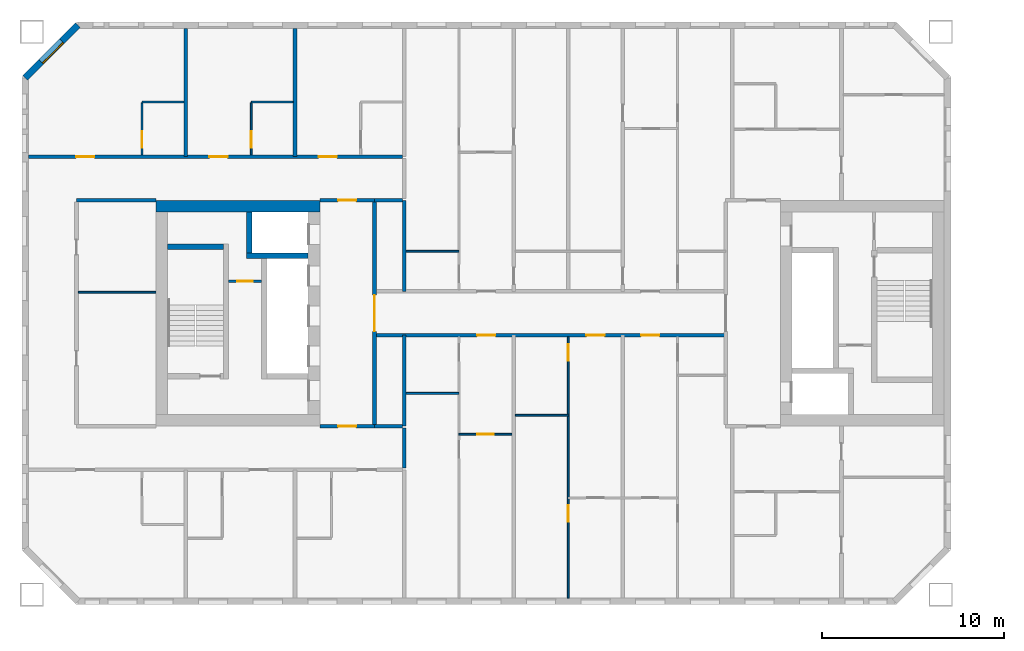
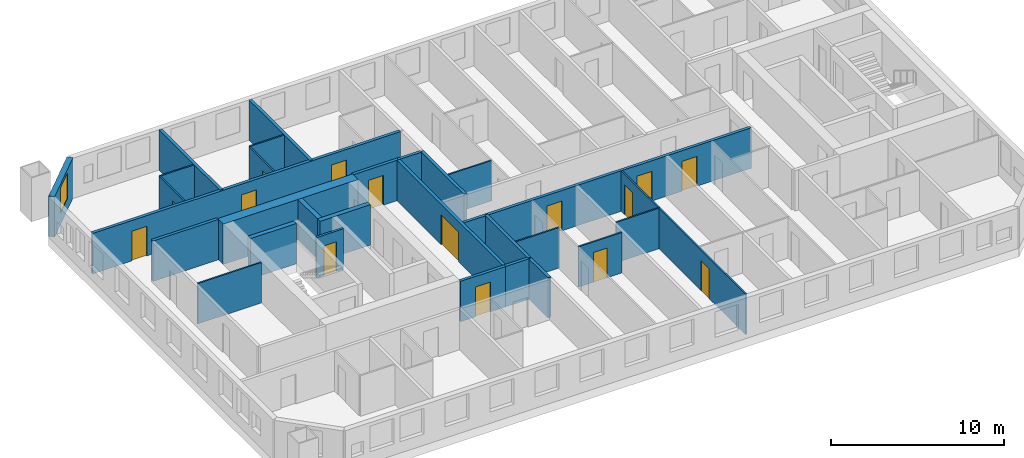
# One storey, part 4 of 16: 29 walls, 15 doors, 1 window, 16 openings.
"""IFC4 building model written with IfcOpenShell, lengths in metres."""

from ifc_helpers import new_model, si_unit, direction, frame, frame_2d, origin, place, context, subcontext, project, spatial, rectangle, extrude, material, layer, layer_set, type_object, element, fill, save


model = new_model("IFC4")

# Units and contexts
model_context = context("Model", 3, precision=1e-05, world=origin(), true_north=direction((0.0, 1.0)))
body_context = subcontext(model_context, "Body", "Model", "MODEL_VIEW")
ifc_project = project(units=[si_unit("LENGTHUNIT", "METRE"), si_unit("AREAUNIT", "SQUARE_METRE"), si_unit("VOLUMEUNIT", "CUBIC_METRE"), si_unit("PLANEANGLEUNIT", "RADIAN"), si_unit("MASSUNIT", "GRAM", prefix="KILO")], contexts=[model_context])

# Site, building, storey
site_placement = place(None, origin())
site = spatial("IfcSite", under=ifc_project, at=site_placement, CompositionType="ELEMENT")
building_placement = place(site_placement, origin())
building = spatial("IfcBuilding", under=site, at=building_placement, Name="Tuart Gate Housing", CompositionType="ELEMENT")
storey_placement = place(building_placement, frame((0.0, 0.0, 96.39990234375)))
storey = spatial("IfcBuildingStorey", under=building, at=storey_placement, Name="L26", CompositionType="ELEMENT", Elevation=96.39990234375)

# Wall, opening, window
ifc_material_1 = material(Name="Brick", Category="masonry")
ifc_layer_1 = layer(ifc_material_1, 0.360107421875)
ifc_layer_set_1 = layer_set([ifc_layer_1], Name="Brick pier and spandrel wall 360")
wall_type_1 = type_object("IfcWallType", Name="Brick pier and spandrel wall 360", PredefinedType="STANDARD", material=ifc_layer_set_1)
wall_1_placement = place(storey_placement, frame((28.07470703125, 85.820068359375, 0.0), z_axis=(0.0, 0.0, 1.0), x_axis=(-0.707106781187, -0.707106781187, 0.0)))
wall_1 = element("IfcWall", 1, at=wall_1_placement, inside=storey, type_object=wall_type_1, Name="External wall A-NW L26", PredefinedType="STANDARD", context=body_context, shape_type="SweptSolid", body=[
    extrude(rectangle(XDim=4.09375, YDim=0.360107421875, at=frame_2d((2.046875, 0.0))), origin(), (0.0, 0.0, 1.0), 2.85009765625),
])
opening_1_placement = place(wall_1_placement, frame((1.2470703125, 0.0, 0.800048828125)))
opening_1 = element("IfcOpeningElement", 2, at=opening_1_placement, cuts=wall_1, Name="Opening W1", PredefinedType="OPENING", context=body_context, shape_type="SweptSolid", body=[
    extrude(rectangle(XDim=1.60009765625, YDim=1.800048828125, at=frame_2d((0.800048828125, 0.89990234375))), frame((0.0, 0.18994140625, 0.0), z_axis=(0.0, -1.0, 0.0), x_axis=(1.0, 0.0, 0.0)), (0.0, 0.0, 1.0), 0.380126953125),
])
ifc_material_2 = material(Name="Aluminium frame with clear glass", Category="aluminium")
window_type = type_object("IfcWindowType", Name="Punched window 1600 x 1800", PartitioningType="SINGLE_PANEL", PredefinedType="WINDOW", material=ifc_material_2)
window_placement = place(opening_1_placement, origin())
window = element("IfcWindow", 3, at=window_placement, inside=storey, type_object=window_type, Name="Window W1", OverallHeight=1.800048828125, OverallWidth=1.60009765625, PartitioningType="SINGLE_PANEL", PredefinedType="WINDOW", context=body_context, shape_type="SweptSolid", body=[
    extrude(rectangle(XDim=1.60009765625, YDim=1.800048828125, at=frame_2d((0.800048828125, 0.89990234375))), frame((0.0, 0.150146484375, 0.0), z_axis=(0.0, -1.0, 0.0), x_axis=(1.0, 0.0, 0.0)), (0.0, 0.0, 1.0), 0.06005859375),
])
fill(opening_1, window)

# Wall, opening, door
ifc_material_3 = material(Name="Plasterboard partition")
ifc_layer_2 = layer(ifc_material_3, 0.14990234375)
ifc_layer_set_2 = layer_set([ifc_layer_2], Name="Core partition 150")
wall_type_2 = type_object("IfcWallType", Name="Core partition 150", PredefinedType="PARTITIONING", material=ifc_layer_set_2)
wall_2_placement = place(storey_placement, frame((38.159912109375, 71.75, 0.0), z_axis=(0.0, 0.0, 1.0), x_axis=(-1.0, 0.0, 0.0)))
wall_2 = element("IfcWall", 4, at=wall_2_placement, inside=storey, type_object=wall_type_2, Name="Core partition AK.3", PredefinedType="PARTITIONING", context=body_context, shape_type="SweptSolid", body=[
    extrude(rectangle(XDim=1.7998046875, YDim=0.14990234375, at=frame_2d((0.89990234375, 0.0))), origin(), (0.0, 0.0, 1.0), 2.85009765625),
])
opening_2_placement = place(wall_2_placement, frame((0.47509765625, 0.0, 0.0)))
opening_2 = element("IfcOpeningElement", 5, at=opening_2_placement, cuts=wall_2, Name="Opening D1089", PredefinedType="OPENING", context=body_context, shape_type="SweptSolid", body=[
    extrude(rectangle(XDim=0.85009765625, YDim=2.10009765625, at=frame_2d((0.425048828125, 1.050048828125))), frame((0.0, 0.0849609375, 0.0), z_axis=(0.0, -1.0, 0.0), x_axis=(1.0, 0.0, 0.0)), (0.0, 0.0, 1.0), 0.169921875),
])
ifc_material_4 = material(Name="Steel fire door", Category="steel")
door_type_1 = type_object("IfcDoorType", Name="Riser door 850 x 2100 RH", OperationType="SINGLE_SWING_RIGHT", PredefinedType="DOOR", material=ifc_material_4)
door_1_placement = place(opening_2_placement, frame((0.85009765625, 0.0, 0.0), z_axis=(0.0, 0.0, 1.0), x_axis=(-1.0, 0.0, 0.0)))
door_1 = element("IfcDoor", 6, at=door_1_placement, inside=storey, type_object=door_type_1, Name="Service room door AK.E1", OperationType="SINGLE_SWING_RIGHT", OverallHeight=2.10009765625, OverallWidth=0.85009765625, PredefinedType="DOOR", context=body_context, shape_type="SweptSolid", body=[
    extrude(rectangle(XDim=0.85009765625, YDim=2.10009765625, at=frame_2d((0.425048828125, 1.050048828125))), frame((0.0, 0.025146484375, 0.0), z_axis=(0.0, -1.0, 0.0), x_axis=(1.0, 0.0, 0.0)), (0.0, 0.0, 1.0), 0.050048828125),
])
fill(opening_2, door_1)

# Walls
ifc_material_5 = material(Name="Concrete C50", Category="concrete")
ifc_layer_3 = layer(ifc_material_5, 0.300048828125)
ifc_layer_set_3 = layer_set([ifc_layer_3], Name="Core wall 300 C50")
wall_type_3 = type_object("IfcWallType", Name="Core wall 300 C50", PredefinedType="SHEAR", material=ifc_layer_set_3)
wall_3_placement = place(storey_placement, frame((36.06005859375, 73.64990234375, 0.0), z_axis=(0.0, 0.0, 1.0), x_axis=(-1.0, 0.0, 0.0)))
element("IfcWall", 7, at=wall_3_placement, inside=storey, type_object=wall_type_3, Name="Core wall AK.1", PredefinedType="SHEAR", context=body_context, shape_type="SweptSolid", body=[
    extrude(rectangle(XDim=3.050048828125, YDim=0.300048828125, at=frame_2d((1.52490234375, 0.0))), origin(), (0.0, 0.0, 1.0), 2.85009765625),
])
wall_4_placement = place(storey_placement, frame((40.7099609375, 73.14990234375, 0.0), z_axis=(0.0, 0.0, 1.0), x_axis=(-1.0, 0.0, 0.0)))
element("IfcWall", 8, at=wall_4_placement, inside=storey, type_object=wall_type_3, Name="Core wall AK.2", PredefinedType="SHEAR", context=body_context, shape_type="SweptSolid", body=[
    extrude(rectangle(XDim=3.369873046875, YDim=0.300048828125, at=frame_2d((1.68505859375, 0.0))), origin(), (0.0, 0.0, 1.0), 2.85009765625),
])
wall_5_placement = place(storey_placement, frame((37.489990234375, 75.550048828125, 0.0), z_axis=(0.0, 0.0, 1.0), x_axis=(0.0, -1.0, 0.0)))
element("IfcWall", 9, at=wall_5_placement, inside=storey, type_object=wall_type_3, Name="Core wall AK.7", PredefinedType="SHEAR", context=body_context, shape_type="SweptSolid", body=[
    extrude(rectangle(XDim=2.25, YDim=0.300048828125, at=frame_2d((1.125, 0.0))), origin(), (0.0, 0.0, 1.0), 2.85009765625),
])
ifc_material_6 = material(Name="Concrete C50", Category="concrete")
ifc_layer_4 = layer(ifc_material_6, 0.64990234375)
ifc_layer_set_4 = layer_set([ifc_layer_4], Name="Core wall 650 C50")
wall_type_4 = type_object("IfcWallType", Name="Core wall 650 C50", PredefinedType="SHEAR", material=ifc_layer_set_4)
wall_6_placement = place(storey_placement, frame((41.360107421875, 75.875, 0.0), z_axis=(0.0, 0.0, 1.0), x_axis=(-1.0, 0.0, 0.0)))
element("IfcWall", 10, at=wall_6_placement, inside=storey, type_object=wall_type_4, Name="Core wall AK south", PredefinedType="SHEAR", context=body_context, shape_type="SweptSolid", body=[
    extrude(rectangle(XDim=9.0, YDim=0.64990234375, at=frame_2d((4.5, 0.0))), origin(), (0.0, 0.0, 1.0), 2.85009765625),
])
ifc_material_7 = material(Name="Concrete masonry 15 MPa", Category="masonry")
ifc_layer_5 = layer(ifc_material_7, 0.199951171875)
ifc_layer_set_5 = layer_set([ifc_layer_5], Name="Corridor wall masonry 200")
wall_type_5 = type_object("IfcWallType", Name="Corridor wall masonry 200", PredefinedType="PARTITIONING", material=ifc_layer_set_5)
wall_7_placement = place(storey_placement, frame((44.360107421875, 63.800048828125, 0.0), z_axis=(0.0, 0.0, 1.0), x_axis=(1.0, 0.0, 0.0)))
element("IfcWall", 11, at=wall_7_placement, inside=storey, type_object=wall_type_5, Name="Corridor wall masonry 200", PredefinedType="PARTITIONING", context=body_context, shape_type="SweptSolid", body=[
    extrude(rectangle(XDim=1.539794921875, YDim=0.199951171875, at=frame_2d((0.77001953125, 0.0))), origin(), (0.0, 0.0, 1.0), 2.85009765625),
])

# Wall, openings, doors
wall_8_placement = place(storey_placement, frame((44.360107421875, 68.800048828125, 0.0), z_axis=(0.0, 0.0, 1.0), x_axis=(1.0, 0.0, 0.0)))
wall_8 = element("IfcWall", 12, at=wall_8_placement, inside=storey, type_object=wall_type_5, Name="Corridor wall masonry 200", PredefinedType="PARTITIONING", context=body_context, shape_type="SweptSolid", body=[
    extrude(rectangle(XDim=19.27978515625, YDim=0.199951171875, at=frame_2d((9.639892578125, 0.0))), origin(), (0.0, 0.0, 1.0), 2.85009765625),
])
opening_3_placement = place(wall_8_placement, frame((14.639892578125, 0.0, 0.0)))
opening_3 = element("IfcOpeningElement", 13, at=opening_3_placement, cuts=wall_8, Name="Opening D1099", PredefinedType="OPENING", context=body_context, shape_type="SweptSolid", body=[
    extrude(rectangle(XDim=1.0, YDim=2.10009765625, at=frame_2d((0.5, 1.050048828125))), frame((0.0, 0.10986328125, 0.0), z_axis=(0.0, -1.0, 0.0), x_axis=(1.0, 0.0, 0.0)), (0.0, 0.0, 1.0), 0.219970703125),
])
opening_4_placement = place(wall_8_placement, frame((11.639892578125, 0.0, 0.0)))
opening_4 = element("IfcOpeningElement", 14, at=opening_4_placement, cuts=wall_8, Name="Opening D1100", PredefinedType="OPENING", context=body_context, shape_type="SweptSolid", body=[
    extrude(rectangle(XDim=1.0, YDim=2.10009765625, at=frame_2d((0.5, 1.050048828125))), frame((0.0, 0.10986328125, 0.0), z_axis=(0.0, -1.0, 0.0), x_axis=(1.0, 0.0, 0.0)), (0.0, 0.0, 1.0), 0.219970703125),
])
opening_5_placement = place(wall_8_placement, frame((5.639892578125, 0.0, 0.0)))
opening_5 = element("IfcOpeningElement", 15, at=opening_5_placement, cuts=wall_8, Name="Opening D1101", PredefinedType="OPENING", context=body_context, shape_type="SweptSolid", body=[
    extrude(rectangle(XDim=1.0, YDim=2.10009765625, at=frame_2d((0.5, 1.050048828125))), frame((0.0, 0.10986328125, 0.0), z_axis=(0.0, -1.0, 0.0), x_axis=(1.0, 0.0, 0.0)), (0.0, 0.0, 1.0), 0.219970703125),
])
ifc_material_8 = material(Name="Timber door leaf in steel frame", Category="steel")
door_type_2 = type_object("IfcDoorType", Name="Flat entrance door 1000 RH", OperationType="SINGLE_SWING_RIGHT", PredefinedType="DOOR", material=ifc_material_8)
door_2_placement = place(opening_3_placement, frame((1.0, 0.0, 0.0), z_axis=(0.0, 0.0, 1.0), x_axis=(-1.0, 0.0, 0.0)))
door_2 = element("IfcDoor", 16, at=door_2_placement, inside=storey, type_object=door_type_2, Name="Flat entrance door", OperationType="SINGLE_SWING_RIGHT", OverallHeight=2.10009765625, OverallWidth=1.0, PredefinedType="DOOR", context=body_context, shape_type="SweptSolid", body=[
    extrude(rectangle(XDim=1.0, YDim=2.10009765625, at=frame_2d((0.5, 1.050048828125))), frame((0.0, 0.025146484375, 0.0), z_axis=(0.0, -1.0, 0.0), x_axis=(1.0, 0.0, 0.0)), (0.0, 0.0, 1.0), 0.050048828125),
])
fill(opening_3, door_2)
door_3_placement = place(opening_4_placement, frame((1.0, 0.0, 0.0), z_axis=(0.0, 0.0, 1.0), x_axis=(-1.0, 0.0, 0.0)))
door_3 = element("IfcDoor", 17, at=door_3_placement, inside=storey, type_object=door_type_2, Name="Flat entrance door", OperationType="SINGLE_SWING_RIGHT", OverallHeight=2.10009765625, OverallWidth=1.0, PredefinedType="DOOR", context=body_context, shape_type="SweptSolid", body=[
    extrude(rectangle(XDim=1.0, YDim=2.10009765625, at=frame_2d((0.5, 1.050048828125))), frame((0.0, 0.025146484375, 0.0), z_axis=(0.0, -1.0, 0.0), x_axis=(1.0, 0.0, 0.0)), (0.0, 0.0, 1.0), 0.050048828125),
])
fill(opening_4, door_3)
door_4_placement = place(opening_5_placement, frame((1.0, 0.0, 0.0), z_axis=(0.0, 0.0, 1.0), x_axis=(-1.0, 0.0, 0.0)))
door_4 = element("IfcDoor", 18, at=door_4_placement, inside=storey, type_object=door_type_2, Name="Flat entrance door", OperationType="SINGLE_SWING_RIGHT", OverallHeight=2.10009765625, OverallWidth=1.0, PredefinedType="DOOR", context=body_context, shape_type="SweptSolid", body=[
    extrude(rectangle(XDim=1.0, YDim=2.10009765625, at=frame_2d((0.5, 1.050048828125))), frame((0.0, 0.025146484375, 0.0), z_axis=(0.0, -1.0, 0.0), x_axis=(1.0, 0.0, 0.0)), (0.0, 0.0, 1.0), 0.050048828125),
])
fill(opening_5, door_4)

# Walls
wall_9_placement = place(storey_placement, frame((28.0, 76.199951171875, 0.0), z_axis=(0.0, 0.0, 1.0), x_axis=(1.0, 0.0, 0.0)))
element("IfcWall", 19, at=wall_9_placement, inside=storey, type_object=wall_type_5, Name="Corridor wall masonry 200", PredefinedType="PARTITIONING", context=body_context, shape_type="SweptSolid", body=[
    extrude(rectangle(XDim=4.360107421875, YDim=0.199951171875, at=frame_2d((2.18017578125, 0.0))), origin(), (0.0, 0.0, 1.0), 2.85009765625),
])
wall_10_placement = place(storey_placement, frame((44.360107421875, 76.199951171875, 0.0), z_axis=(0.0, 0.0, 1.0), x_axis=(1.0, 0.0, 0.0)))
element("IfcWall", 20, at=wall_10_placement, inside=storey, type_object=wall_type_5, Name="Corridor wall masonry 200", PredefinedType="PARTITIONING", context=body_context, shape_type="SweptSolid", body=[
    extrude(rectangle(XDim=1.539794921875, YDim=0.199951171875, at=frame_2d((0.77001953125, 0.0))), origin(), (0.0, 0.0, 1.0), 2.85009765625),
])

# Wall, openings, doors
wall_11_placement = place(storey_placement, frame((25.360107421875, 78.60009765625, 0.0), z_axis=(0.0, 0.0, 1.0), x_axis=(1.0, 0.0, 0.0)))
wall_11 = element("IfcWall", 21, at=wall_11_placement, inside=storey, type_object=wall_type_5, Name="Corridor wall masonry 200", PredefinedType="PARTITIONING", context=body_context, shape_type="SweptSolid", body=[
    extrude(rectangle(XDim=20.539794921875, YDim=0.199951171875, at=frame_2d((10.27001953125, 0.0))), origin(), (0.0, 0.0, 1.0), 2.85009765625),
])
opening_6_placement = place(wall_11_placement, frame((15.93994140625, 0.0, 0.0)))
opening_6 = element("IfcOpeningElement", 22, at=opening_6_placement, cuts=wall_11, Name="Opening D1075", PredefinedType="OPENING", context=body_context, shape_type="SweptSolid", body=[
    extrude(rectangle(XDim=1.0, YDim=2.10009765625, at=frame_2d((0.5, 1.050048828125))), frame((0.0, 0.10986328125, 0.0), z_axis=(0.0, -1.0, 0.0), x_axis=(1.0, 0.0, 0.0)), (0.0, 0.0, 1.0), 0.219970703125),
])
opening_7_placement = place(wall_11_placement, frame((9.93994140625, 0.0, 0.0)))
opening_7 = element("IfcOpeningElement", 23, at=opening_7_placement, cuts=wall_11, Name="Opening D1076", PredefinedType="OPENING", context=body_context, shape_type="SweptSolid", body=[
    extrude(rectangle(XDim=1.0, YDim=2.10009765625, at=frame_2d((0.5, 1.050048828125))), frame((0.0, 0.10986328125, 0.0), z_axis=(0.0, -1.0, 0.0), x_axis=(1.0, 0.0, 0.0)), (0.0, 0.0, 1.0), 0.219970703125),
])
opening_8_placement = place(wall_11_placement, frame((2.6201171875, 0.0, 0.0)))
opening_8 = element("IfcOpeningElement", 24, at=opening_8_placement, cuts=wall_11, Name="Opening D1077", PredefinedType="OPENING", context=body_context, shape_type="SweptSolid", body=[
    extrude(rectangle(XDim=1.0, YDim=2.10009765625, at=frame_2d((0.5, 1.050048828125))), frame((0.0, 0.10986328125, 0.0), z_axis=(0.0, -1.0, 0.0), x_axis=(1.0, 0.0, 0.0)), (0.0, 0.0, 1.0), 0.219970703125),
])
ifc_material_9 = material(Name="Timber door leaf in steel frame", Category="steel")
door_type_3 = type_object("IfcDoorType", Name="Flat entrance door 1000", OperationType="SINGLE_SWING_LEFT", PredefinedType="DOOR", material=ifc_material_9)
door_5_placement = place(opening_6_placement, origin())
door_5 = element("IfcDoor", 25, at=door_5_placement, inside=storey, type_object=door_type_3, Name="Flat entrance door", OperationType="SINGLE_SWING_LEFT", OverallHeight=2.10009765625, OverallWidth=1.0, PredefinedType="DOOR", context=body_context, shape_type="SweptSolid", body=[
    extrude(rectangle(XDim=1.0, YDim=2.10009765625, at=frame_2d((0.5, 1.050048828125))), frame((0.0, 0.02490234375, 0.0), z_axis=(0.0, -1.0, 0.0), x_axis=(1.0, 0.0, 0.0)), (0.0, 0.0, 1.0), 0.050048828125),
])
fill(opening_6, door_5)
door_6_placement = place(opening_7_placement, origin())
door_6 = element("IfcDoor", 26, at=door_6_placement, inside=storey, type_object=door_type_3, Name="Flat entrance door", OperationType="SINGLE_SWING_LEFT", OverallHeight=2.10009765625, OverallWidth=1.0, PredefinedType="DOOR", context=body_context, shape_type="SweptSolid", body=[
    extrude(rectangle(XDim=1.0, YDim=2.10009765625, at=frame_2d((0.5, 1.050048828125))), frame((0.0, 0.02490234375, 0.0), z_axis=(0.0, -1.0, 0.0), x_axis=(1.0, 0.0, 0.0)), (0.0, 0.0, 1.0), 0.050048828125),
])
fill(opening_7, door_6)
door_7_placement = place(opening_8_placement, origin())
door_7 = element("IfcDoor", 27, at=door_7_placement, inside=storey, type_object=door_type_3, Name="Flat entrance door", OperationType="SINGLE_SWING_LEFT", OverallHeight=2.10009765625, OverallWidth=1.0, PredefinedType="DOOR", context=body_context, shape_type="SweptSolid", body=[
    extrude(rectangle(XDim=1.0, YDim=2.10009765625, at=frame_2d((0.5, 1.050048828125))), frame((0.0, 0.02490234375, 0.0), z_axis=(0.0, -1.0, 0.0), x_axis=(1.0, 0.0, 0.0)), (0.0, 0.0, 1.0), 0.050048828125),
])
fill(opening_8, door_7)

# Wall
wall_12_placement = place(storey_placement, frame((46.0, 61.5, 0.0), z_axis=(0.0, 0.0, 1.0), x_axis=(0.0, 1.0, 0.0)))
element("IfcWall", 28, at=wall_12_placement, inside=storey, type_object=wall_type_5, Name="Corridor wall masonry 200", PredefinedType="PARTITIONING", context=body_context, shape_type="SweptSolid", body=[
    extrude(rectangle(XDim=2.199951171875, YDim=0.199951171875, at=frame_2d((1.10009765625, 0.0))), origin(), (0.0, 0.0, 1.0), 2.85009765625),
])

# Wall, opening, door
ifc_material_10 = material(Name="Concrete masonry 15 MPa", Category="masonry")
ifc_layer_6 = layer(ifc_material_10, 0.199951171875)
ifc_layer_set_6 = layer_set([ifc_layer_6], Name="Enclosure wall masonry 200")
wall_type_6 = type_object("IfcWallType", Name="Enclosure wall masonry 200", PredefinedType="PARTITIONING", material=ifc_layer_set_6)
wall_13_placement = place(storey_placement, frame((41.360107421875, 63.800048828125, 0.0), z_axis=(0.0, 0.0, 1.0), x_axis=(1.0, 0.0, 0.0)))
wall_13 = element("IfcWall", 29, at=wall_13_placement, inside=storey, type_object=wall_type_6, Name="Enclosure wall masonry 200", PredefinedType="PARTITIONING", context=body_context, shape_type="SweptSolid", body=[
    extrude(rectangle(XDim=3.0, YDim=0.199951171875, at=frame_2d((1.5, 0.0))), origin(), (0.0, 0.0, 1.0), 2.85009765625),
])
opening_9_placement = place(wall_13_placement, frame((1.0, 0.0, 0.0)))
opening_9 = element("IfcOpeningElement", 30, at=opening_9_placement, cuts=wall_13, Name="Opening D1104", PredefinedType="OPENING", context=body_context, shape_type="SweptSolid", body=[
    extrude(rectangle(XDim=1.0, YDim=2.10009765625, at=frame_2d((0.5, 1.050048828125))), frame((0.0, 0.10986328125, 0.0), z_axis=(0.0, -1.0, 0.0), x_axis=(1.0, 0.0, 0.0)), (0.0, 0.0, 1.0), 0.219970703125),
])
ifc_material_11 = material(Name="Timber door leaf in steel frame", Category="steel")
door_type_4 = type_object("IfcDoorType", Name="Fire door 1000", OperationType="SINGLE_SWING_LEFT", PredefinedType="DOOR", material=ifc_material_11)
door_8_placement = place(opening_9_placement, frame((1.0, 0.0, 0.0), z_axis=(0.0, 0.0, 1.0), x_axis=(-1.0, 0.0, 0.0)))
door_8 = element("IfcDoor", 31, at=door_8_placement, inside=storey, type_object=door_type_4, Name="Fire door", OperationType="SINGLE_SWING_LEFT", OverallHeight=2.10009765625, OverallWidth=1.0, PredefinedType="DOOR", context=body_context, shape_type="SweptSolid", body=[
    extrude(rectangle(XDim=1.0, YDim=2.10009765625, at=frame_2d((0.5, 1.050048828125))), frame((0.0, 0.025146484375, 0.0), z_axis=(0.0, -1.0, 0.0), x_axis=(1.0, 0.0, 0.0)), (0.0, 0.0, 1.0), 0.050048828125),
])
fill(opening_9, door_8)

wall_14_placement = place(storey_placement, frame((41.360107421875, 76.199951171875, 0.0), z_axis=(0.0, 0.0, 1.0), x_axis=(1.0, 0.0, 0.0)))
wall_14 = element("IfcWall", 32, at=wall_14_placement, inside=storey, type_object=wall_type_6, Name="Enclosure wall masonry 200", PredefinedType="PARTITIONING", context=body_context, shape_type="SweptSolid", body=[
    extrude(rectangle(XDim=3.0, YDim=0.199951171875, at=frame_2d((1.5, 0.0))), origin(), (0.0, 0.0, 1.0), 2.85009765625),
])
opening_10_placement = place(wall_14_placement, frame((1.0, 0.0, 0.0)))
opening_10 = element("IfcOpeningElement", 33, at=opening_10_placement, cuts=wall_14, Name="Opening D1086", PredefinedType="OPENING", context=body_context, shape_type="SweptSolid", body=[
    extrude(rectangle(XDim=1.0, YDim=2.10009765625, at=frame_2d((0.5, 1.050048828125))), frame((0.0, 0.10986328125, 0.0), z_axis=(0.0, -1.0, 0.0), x_axis=(1.0, 0.0, 0.0)), (0.0, 0.0, 1.0), 0.219970703125),
])
ifc_material_12 = material(Name="Timber door leaf in steel frame", Category="steel")
door_type_5 = type_object("IfcDoorType", Name="Fire door 1000 RH", OperationType="SINGLE_SWING_RIGHT", PredefinedType="DOOR", material=ifc_material_12)
door_9_placement = place(opening_10_placement, origin())
door_9 = element("IfcDoor", 34, at=door_9_placement, inside=storey, type_object=door_type_5, Name="Fire door", OperationType="SINGLE_SWING_RIGHT", OverallHeight=2.10009765625, OverallWidth=1.0, PredefinedType="DOOR", context=body_context, shape_type="SweptSolid", body=[
    extrude(rectangle(XDim=1.0, YDim=2.10009765625, at=frame_2d((0.5, 1.050048828125))), frame((0.0, 0.02490234375, 0.0), z_axis=(0.0, -1.0, 0.0), x_axis=(1.0, 0.0, 0.0)), (0.0, 0.0, 1.0), 0.050048828125),
])
fill(opening_10, door_9)

ifc_material_13 = material(Name="Plasterboard partition")
ifc_layer_7 = layer(ifc_material_13, 0.199951171875)
ifc_layer_set_7 = layer_set([ifc_layer_7], Name="Lobby wall 200")
wall_type_7 = type_object("IfcWallType", Name="Lobby wall 200", PredefinedType="PARTITIONING", material=ifc_layer_set_7)
wall_15_placement = place(storey_placement, frame((44.360107421875, 63.89990234375, 0.0), z_axis=(0.0, 0.0, 1.0), x_axis=(0.0, 1.0, 0.0)))
wall_15 = element("IfcWall", 35, at=wall_15_placement, inside=storey, type_object=wall_type_7, Name="Lift lobby wall AK", PredefinedType="PARTITIONING", context=body_context, shape_type="SweptSolid", body=[
    extrude(rectangle(XDim=12.2001953125, YDim=0.199951171875, at=frame_2d((6.10009765625, 0.0))), origin(), (0.0, 0.0, 1.0), 2.85009765625),
])
opening_11_placement = place(wall_15_placement, frame((5.10009765625, 0.0, 0.0)))
opening_11 = element("IfcOpeningElement", 36, at=opening_11_placement, cuts=wall_15, Name="Opening D1095", PredefinedType="OPENING", context=body_context, shape_type="SweptSolid", body=[
    extrude(rectangle(XDim=2.0, YDim=2.10009765625, at=frame_2d((1.0, 1.050048828125))), frame((0.0, 0.10986328125, 0.0), z_axis=(0.0, -1.0, 0.0), x_axis=(1.0, 0.0, 0.0)), (0.0, 0.0, 1.0), 0.219970703125),
])
ifc_material_14 = material(Name="Steel fire door", Category="steel")
door_type_6 = type_object("IfcDoorType", Name="Smoke door 2000 x 2100", OperationType="DOUBLE_DOOR_SINGLE_SWING", PredefinedType="DOOR", material=ifc_material_14)
door_10_placement = place(opening_11_placement, origin())
door_10 = element("IfcDoor", 37, at=door_10_placement, inside=storey, type_object=door_type_6, Name="Lift lobby smoke door AK", OperationType="DOUBLE_DOOR_SINGLE_SWING", OverallHeight=2.10009765625, OverallWidth=2.0, PredefinedType="DOOR", context=body_context, shape_type="SweptSolid", body=[
    extrude(rectangle(XDim=2.0, YDim=2.10009765625, at=frame_2d((1.0, 1.050048828125))), frame((0.0, 0.02490234375, 0.0), z_axis=(0.0, -1.0, 0.0), x_axis=(1.0, 0.0, 0.0)), (0.0, 0.0, 1.0), 0.050048828125),
])
fill(opening_11, door_10)

ifc_material_15 = material(Name="Gypsum board on steel studs", Category="steel")
ifc_layer_8 = layer(ifc_material_15, 0.10009765625)
ifc_layer_set_8 = layer_set([ifc_layer_8], Name="Partition 100")
wall_type_8 = type_object("IfcWallType", Name="Partition 100", PredefinedType="PARTITIONING", material=ifc_layer_set_8)
wall_16_placement = place(storey_placement, frame((49.0, 63.360107421875, 0.0), z_axis=(0.0, 0.0, 1.0), x_axis=(1.0, 0.0, 0.0)))
wall_16 = element("IfcWall", 38, at=wall_16_placement, inside=storey, type_object=wall_type_8, Name="Partition 100", PredefinedType="PARTITIONING", context=body_context, shape_type="SweptSolid", body=[
    extrude(rectangle(XDim=2.89990234375, YDim=0.10009765625, at=frame_2d((1.449951171875, 0.0))), origin(), (0.0, 0.0, 1.0), 2.85009765625),
])
opening_12_placement = place(wall_16_placement, frame((1.0, 0.0, 0.0)))
opening_12 = element("IfcOpeningElement", 39, at=opening_12_placement, cuts=wall_16, Name="Opening D1106", PredefinedType="OPENING", context=body_context, shape_type="SweptSolid", body=[
    extrude(rectangle(XDim=0.89990234375, YDim=2.10009765625, at=frame_2d((0.449951171875, 1.050048828125))), frame((0.0, 0.06005859375, 0.0), z_axis=(0.0, -1.0, 0.0), x_axis=(1.0, 0.0, 0.0)), (0.0, 0.0, 1.0), 0.1201171875),
])
ifc_material_16 = material(Name="Timber door leaf in steel frame", Category="steel")
door_type_7 = type_object("IfcDoorType", Name="Internal door 900", OperationType="SINGLE_SWING_LEFT", PredefinedType="DOOR", material=ifc_material_16)
door_11_placement = place(opening_12_placement, origin())
door_11 = element("IfcDoor", 40, at=door_11_placement, inside=storey, type_object=door_type_7, Name="Internal door", OperationType="SINGLE_SWING_LEFT", OverallHeight=2.10009765625, OverallWidth=0.89990234375, PredefinedType="DOOR", context=body_context, shape_type="SweptSolid", body=[
    extrude(rectangle(XDim=0.89990234375, YDim=2.10009765625, at=frame_2d((0.449951171875, 1.050048828125))), frame((0.0, 0.02490234375, 0.0), z_axis=(0.0, -1.0, 0.0), x_axis=(1.0, 0.0, 0.0)), (0.0, 0.0, 1.0), 0.050048828125),
])
fill(opening_12, door_11)

# Walls
for number, where, z_axis, x_axis, name in (
    (41, (52.10009765625, 64.39990234375, 0.0), (0.0, 0.0, 1.0), (1.0, 0.0, 0.0), "Partition 100"),
    (42, (46.10009765625, 65.60009765625, 0.0), (0.0, 0.0, 1.0), (1.0, 0.0, 0.0), "Partition 100"),
):
    element("IfcWall", number, at=place(storey_placement, frame(where, z_axis=z_axis, x_axis=x_axis)), inside=storey, type_object=wall_type_8, Name=name, PredefinedType="PARTITIONING", context=body_context, shape_type="SweptSolid", body=[
        extrude(rectangle(XDim=2.89990234375, YDim=0.10009765625, at=frame_2d((1.449951171875, 0.0))), origin(), (0.0, 0.0, 1.0), 2.85009765625),
    ])
wall_17_placement = place(storey_placement, frame((28.10009765625, 71.14990234375, 0.0), z_axis=(0.0, 0.0, 1.0), x_axis=(1.0, 0.0, 0.0)))
element("IfcWall", 43, at=wall_17_placement, inside=storey, type_object=wall_type_8, Name="Partition 100", PredefinedType="PARTITIONING", context=body_context, shape_type="SweptSolid", body=[
    extrude(rectangle(XDim=4.260009765625, YDim=0.10009765625, at=frame_2d((2.1298828125, 0.0))), origin(), (0.0, 0.0, 1.0), 2.85009765625),
])
wall_18_placement = place(storey_placement, frame((46.10009765625, 73.39990234375, 0.0), z_axis=(0.0, 0.0, 1.0), x_axis=(1.0, 0.0, 0.0)))
element("IfcWall", 44, at=wall_18_placement, inside=storey, type_object=wall_type_8, Name="Partition 100", PredefinedType="PARTITIONING", context=body_context, shape_type="SweptSolid", body=[
    extrude(rectangle(XDim=2.89990234375, YDim=0.10009765625, at=frame_2d((1.449951171875, 0.0))), origin(), (0.0, 0.0, 1.0), 2.85009765625),
])
for number, where, z_axis, x_axis, name in (
    (45, (31.60009765625, 81.60009765625, 0.0), (0.0, 0.0, 1.0), (1.0, 0.0, 0.0), "Partition 100"),
    (46, (37.60009765625, 81.60009765625, 0.0), (0.0, 0.0, 1.0), (1.0, 0.0, 0.0), "Partition 100"),
):
    element("IfcWall", number, at=place(storey_placement, frame(where, z_axis=z_axis, x_axis=x_axis)), inside=storey, type_object=wall_type_8, Name=name, PredefinedType="PARTITIONING", context=body_context, shape_type="SweptSolid", body=[
        extrude(rectangle(XDim=2.2998046875, YDim=0.10009765625, at=frame_2d((1.14990234375, 0.0))), origin(), (0.0, 0.0, 1.0), 2.85009765625),
    ])

# Wall, opening, door
wall_19_placement = place(storey_placement, frame((31.60009765625, 78.699951171875, 0.0), z_axis=(0.0, 0.0, 1.0), x_axis=(0.0, 1.0, 0.0)))
wall_19 = element("IfcWall", 47, at=wall_19_placement, inside=storey, type_object=wall_type_8, Name="Partition 100", PredefinedType="PARTITIONING", context=body_context, shape_type="SweptSolid", body=[
    extrude(rectangle(XDim=2.85009765625, YDim=0.10009765625, at=frame_2d((1.425048828125, 0.0))), origin(), (0.0, 0.0, 1.0), 2.85009765625),
])
opening_13_placement = place(wall_19_placement, frame((0.39990234375, 0.0, 0.0)))
opening_13 = element("IfcOpeningElement", 48, at=opening_13_placement, cuts=wall_19, Name="Opening D1069", PredefinedType="OPENING", context=body_context, shape_type="SweptSolid", body=[
    extrude(rectangle(XDim=0.89990234375, YDim=2.10009765625, at=frame_2d((0.449951171875, 1.050048828125))), frame((0.0, 0.06005859375, 0.0), z_axis=(0.0, -1.0, 0.0), x_axis=(1.0, 0.0, 0.0)), (0.0, 0.0, 1.0), 0.1201171875),
])
ifc_material_17 = material(Name="Timber door leaf in steel frame", Category="steel")
door_type_8 = type_object("IfcDoorType", Name="Bathroom door 900 RH", OperationType="SINGLE_SWING_RIGHT", PredefinedType="DOOR", material=ifc_material_17)
door_12_placement = place(opening_13_placement, frame((0.89990234375, 0.0, 0.0), z_axis=(0.0, 0.0, 1.0), x_axis=(-1.0, 0.0, 0.0)))
door_12 = element("IfcDoor", 49, at=door_12_placement, inside=storey, type_object=door_type_8, Name="Bathroom door", OperationType="SINGLE_SWING_RIGHT", OverallHeight=2.10009765625, OverallWidth=0.89990234375, PredefinedType="DOOR", context=body_context, shape_type="SweptSolid", body=[
    extrude(rectangle(XDim=0.89990234375, YDim=2.10009765625, at=frame_2d((0.449951171875, 1.050048828125))), frame((0.0, 0.025146484375, 0.0), z_axis=(0.0, -1.0, 0.0), x_axis=(1.0, 0.0, 0.0)), (0.0, 0.0, 1.0), 0.050048828125),
])
fill(opening_13, door_12)

wall_20_placement = place(storey_placement, frame((37.60009765625, 78.699951171875, 0.0), z_axis=(0.0, 0.0, 1.0), x_axis=(0.0, 1.0, 0.0)))
wall_20 = element("IfcWall", 50, at=wall_20_placement, inside=storey, type_object=wall_type_8, Name="Partition 100", PredefinedType="PARTITIONING", context=body_context, shape_type="SweptSolid", body=[
    extrude(rectangle(XDim=2.85009765625, YDim=0.10009765625, at=frame_2d((1.425048828125, 0.0))), origin(), (0.0, 0.0, 1.0), 2.85009765625),
])
opening_14_placement = place(wall_20_placement, frame((0.39990234375, 0.0, 0.0)))
opening_14 = element("IfcOpeningElement", 51, at=opening_14_placement, cuts=wall_20, Name="Opening D1070", PredefinedType="OPENING", context=body_context, shape_type="SweptSolid", body=[
    extrude(rectangle(XDim=0.89990234375, YDim=2.10009765625, at=frame_2d((0.449951171875, 1.050048828125))), frame((0.0, 0.06005859375, 0.0), z_axis=(0.0, -1.0, 0.0), x_axis=(1.0, 0.0, 0.0)), (0.0, 0.0, 1.0), 0.1201171875),
])
door_13_placement = place(opening_14_placement, frame((0.89990234375, 0.0, 0.0), z_axis=(0.0, 0.0, 1.0), x_axis=(-1.0, 0.0, 0.0)))
door_13 = element("IfcDoor", 52, at=door_13_placement, inside=storey, type_object=door_type_8, Name="Bathroom door", OperationType="SINGLE_SWING_RIGHT", OverallHeight=2.10009765625, OverallWidth=0.89990234375, PredefinedType="DOOR", context=body_context, shape_type="SweptSolid", body=[
    extrude(rectangle(XDim=0.89990234375, YDim=2.10009765625, at=frame_2d((0.449951171875, 1.050048828125))), frame((0.0, 0.025146484375, 0.0), z_axis=(0.0, -1.0, 0.0), x_axis=(1.0, 0.0, 0.0)), (0.0, 0.0, 1.0), 0.050048828125),
])
fill(opening_14, door_13)

# Wall, openings, doors
wall_21_placement = place(storey_placement, frame((55.0, 54.360107421875, 0.0), z_axis=(0.0, 0.0, 1.0), x_axis=(0.0, 1.0, 0.0)))
wall_21 = element("IfcWall", 53, at=wall_21_placement, inside=storey, type_object=wall_type_8, Name="Partition 100", PredefinedType="PARTITIONING", context=body_context, shape_type="SweptSolid", body=[
    extrude(rectangle(XDim=14.33984375, YDim=0.10009765625, at=frame_2d((7.169921875, 0.0))), origin(), (0.0, 0.0, 1.0), 2.85009765625),
])
opening_15_placement = place(wall_21_placement, frame((4.199951171875, 0.0, 0.0)))
opening_15 = element("IfcOpeningElement", 54, at=opening_15_placement, cuts=wall_21, Name="Opening D1110", PredefinedType="OPENING", context=body_context, shape_type="SweptSolid", body=[
    extrude(rectangle(XDim=0.89990234375, YDim=2.10009765625, at=frame_2d((0.449951171875, 1.050048828125))), frame((0.0, 0.06005859375, 0.0), z_axis=(0.0, -1.0, 0.0), x_axis=(1.0, 0.0, 0.0)), (0.0, 0.0, 1.0), 0.1201171875),
])
opening_16_placement = place(wall_21_placement, frame((13.0400390625, 0.0, 0.0)))
opening_16 = element("IfcOpeningElement", 55, at=opening_16_placement, cuts=wall_21, Name="Opening D1109", PredefinedType="OPENING", context=body_context, shape_type="SweptSolid", body=[
    extrude(rectangle(XDim=0.89990234375, YDim=2.10009765625, at=frame_2d((0.449951171875, 1.050048828125))), frame((0.0, 0.06005859375, 0.0), z_axis=(0.0, -1.0, 0.0), x_axis=(1.0, 0.0, 0.0)), (0.0, 0.0, 1.0), 0.1201171875),
])
door_14_placement = place(opening_16_placement, origin())
door_14 = element("IfcDoor", 56, at=door_14_placement, inside=storey, type_object=door_type_8, Name="Bathroom door", OperationType="SINGLE_SWING_RIGHT", OverallHeight=2.10009765625, OverallWidth=0.89990234375, PredefinedType="DOOR", context=body_context, shape_type="SweptSolid", body=[
    extrude(rectangle(XDim=0.89990234375, YDim=2.10009765625, at=frame_2d((0.449951171875, 1.050048828125))), frame((0.0, 0.02490234375, 0.0), z_axis=(0.0, -1.0, 0.0), x_axis=(1.0, 0.0, 0.0)), (0.0, 0.0, 1.0), 0.050048828125),
])
fill(opening_16, door_14)
door_15_placement = place(opening_15_placement, origin())
door_15 = element("IfcDoor", 57, at=door_15_placement, inside=storey, type_object=door_type_7, Name="Internal door", OperationType="SINGLE_SWING_LEFT", OverallHeight=2.10009765625, OverallWidth=0.89990234375, PredefinedType="DOOR", context=body_context, shape_type="SweptSolid", body=[
    extrude(rectangle(XDim=0.89990234375, YDim=2.10009765625, at=frame_2d((0.449951171875, 1.050048828125))), frame((0.0, 0.02490234375, 0.0), z_axis=(0.0, -1.0, 0.0), x_axis=(1.0, 0.0, 0.0)), (0.0, 0.0, 1.0), 0.050048828125),
])
fill(opening_15, door_15)

# Walls
ifc_material_18 = material(Name="Concrete C40", Category="concrete")
ifc_layer_9 = layer(ifc_material_18, 0.199951171875)
ifc_layer_set_9 = layer_set([ifc_layer_9], Name="Party wall concrete C40 200")
wall_type_9 = type_object("IfcWallType", Name="Party wall concrete C40 200", PredefinedType="SOLIDWALL", material=ifc_layer_set_9)
for number, where, z_axis, x_axis, name in (
    (58, (34.0, 78.60009765625, 0.0), (0.0, 0.0, 1.0), (0.0, 1.0, 0.0), "Party wall concrete C40 200"),
    (59, (40.0, 78.60009765625, 0.0), (0.0, 0.0, 1.0), (0.0, 1.0, 0.0), "Party wall concrete C40 200"),
):
    element("IfcWall", number, at=place(storey_placement, frame(where, z_axis=z_axis, x_axis=x_axis)), inside=storey, type_object=wall_type_9, Name=name, PredefinedType="SOLIDWALL", context=body_context, shape_type="SweptSolid", body=[
        extrude(rectangle(XDim=7.039794921875, YDim=0.199951171875, at=frame_2d((3.52001953125, 0.0))), origin(), (0.0, 0.0, 1.0), 2.85009765625),
    ])
for number, where, z_axis, x_axis, name in (
    (60, (46.0, 63.800048828125, 0.0), (0.0, 0.0, 1.0), (0.0, 1.0, 0.0), "Party wall concrete C40 200"),
    (61, (46.0, 71.199951171875, 0.0), (0.0, 0.0, 1.0), (0.0, 1.0, 0.0), "Party wall concrete C40 200"),
):
    element("IfcWall", number, at=place(storey_placement, frame(where, z_axis=z_axis, x_axis=x_axis)), inside=storey, type_object=wall_type_9, Name=name, PredefinedType="SOLIDWALL", context=body_context, shape_type="SweptSolid", body=[
        extrude(rectangle(XDim=5.0, YDim=0.199951171875, at=frame_2d((2.5, 0.0))), origin(), (0.0, 0.0, 1.0), 2.85009765625),
    ])

save(model, "model.ifc")
